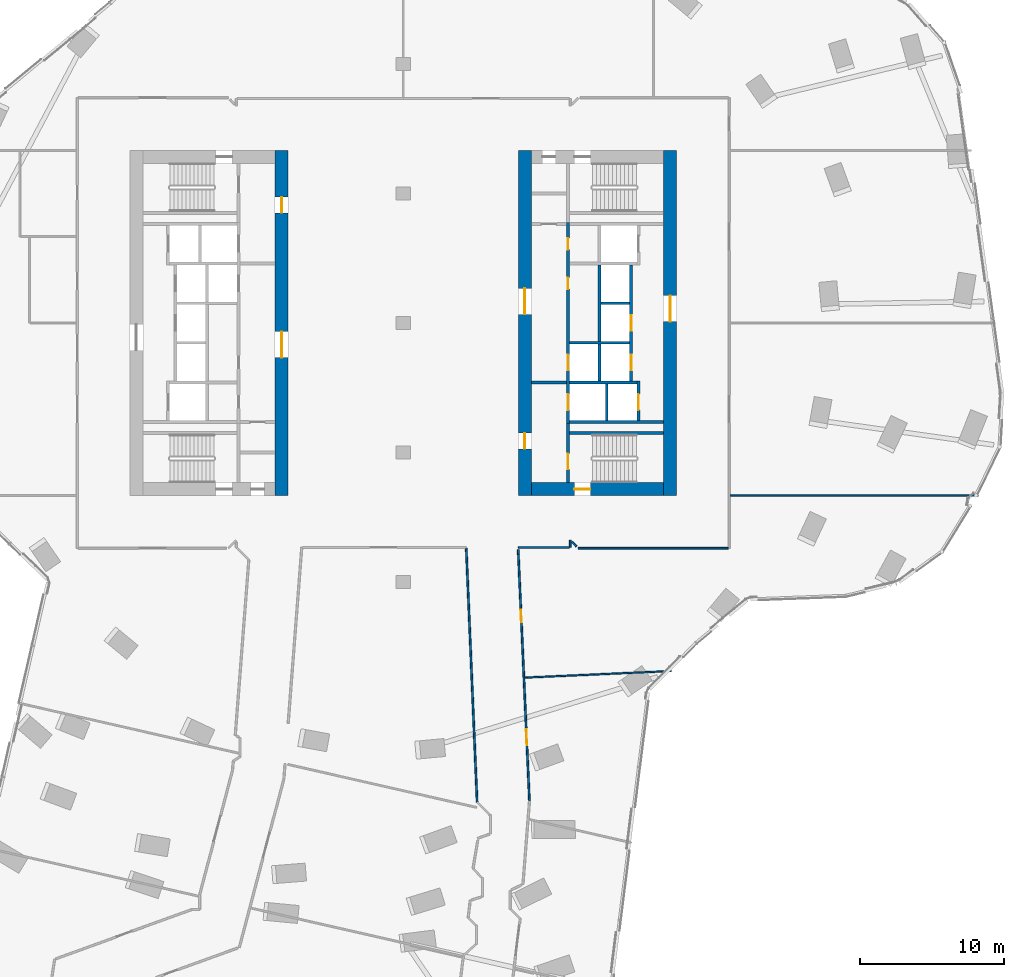
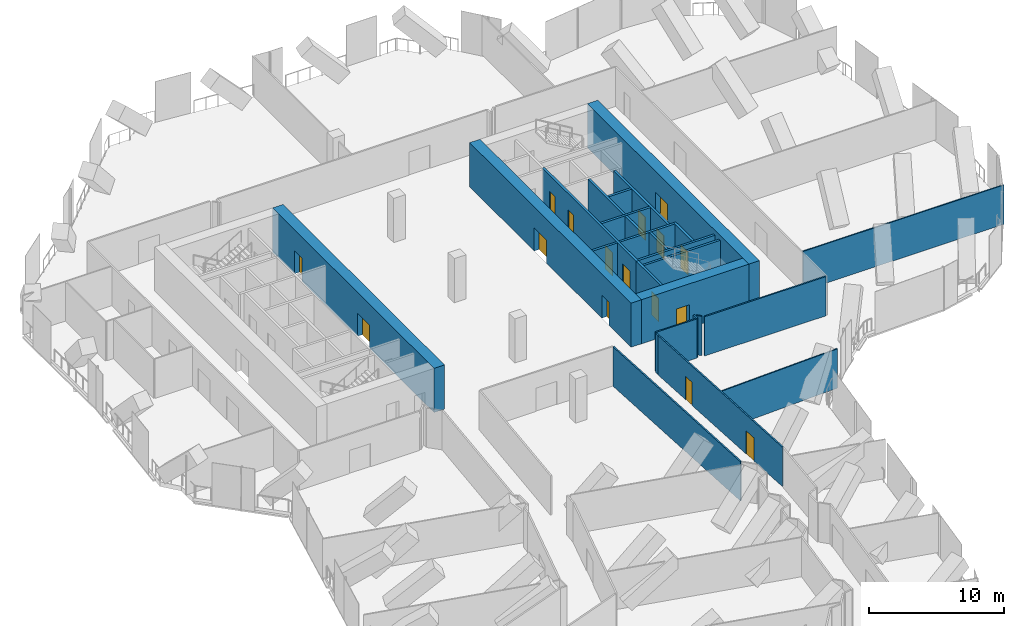
# One storey, part 23 of 29: 26 walls, 16 doors, 16 openings.
"""IFC4 building model written with IfcOpenShell, lengths in metres."""

from ifc_helpers import new_model, si_unit, direction, frame, frame_2d, origin, place, context, subcontext, project, spatial, rectangle, extrude, material, layer, layer_set, type_object, element, fill, save


model = new_model("IFC4")

# Units and contexts
model_context = context("Model", 3, precision=1e-05, world=origin(), true_north=direction((0.0, 1.0)))
body_context = subcontext(model_context, "Body", "Model", "MODEL_VIEW")
ifc_project = project(units=[si_unit("LENGTHUNIT", "METRE"), si_unit("AREAUNIT", "SQUARE_METRE"), si_unit("VOLUMEUNIT", "CUBIC_METRE"), si_unit("PLANEANGLEUNIT", "RADIAN"), si_unit("MASSUNIT", "GRAM", prefix="KILO")], contexts=[model_context])

# Site, building, storey
site_placement = place(None, origin())
site = spatial("IfcSite", under=ifc_project, at=site_placement, CompositionType="ELEMENT")
building_placement = place(site_placement, origin())
building = spatial("IfcBuilding", under=site, at=building_placement, Name="Orlundy Tower", CompositionType="ELEMENT")
storey_placement = place(building_placement, frame((0.0, 0.0, 184.60009765625)))
storey = spatial("IfcBuildingStorey", under=building, at=storey_placement, Name="L48", CompositionType="ELEMENT", Elevation=184.60009765625)

# Wall, openings, doors
ifc_material_1 = material(Name="Concrete C70/85", Category="concrete")
ifc_layer_1 = layer(ifc_material_1, 0.89990234375)
ifc_layer_set_1 = layer_set([ifc_layer_1], Name="CORE WALL 900 C70/85")
wall_type_1 = type_object("IfcWallType", Name="CORE WALL 900 C70/85", PredefinedType="SHEAR", material=ifc_layer_set_1)
wall_1_placement = place(storey_placement, frame((-8.449951171875, -12.0, 0.0), z_axis=(0.0, 0.0, 1.0), x_axis=(0.0, 1.0, 0.0)))
wall_1 = element("IfcWall", 1, at=wall_1_placement, inside=storey, type_object=wall_type_1, Name="Core wall W-E L48", PredefinedType="SHEAR", context=body_context, shape_type="SweptSolid", body=[
    extrude(rectangle(XDim=24.0, YDim=0.89990234375, at=frame_2d((12.0, 0.0))), origin(), (0.0, 0.0, 1.0), 4.0),
])
opening_1_placement = place(wall_1_placement, frame((9.60009765625, 0.0, 0.0)))
opening_1 = element("IfcOpeningElement", 2, at=opening_1_placement, cuts=wall_1, Name="Opening 37009", PredefinedType="OPENING", context=body_context, shape_type="SweptSolid", body=[
    extrude(rectangle(XDim=1.800048828125, YDim=2.10009765625, at=frame_2d((0.89990234375, 1.050048828125))), frame((0.0, 0.4599609375, 0.0), z_axis=(0.0, -1.0, 0.0), x_axis=(1.0, 0.0, 0.0)), (0.0, 0.0, 1.0), 0.919921875),
])
opening_2_placement = place(wall_1_placement, frame((19.64990234375, 0.0, 0.0)))
opening_2 = element("IfcOpeningElement", 3, at=opening_2_placement, cuts=wall_1, Name="Opening 37011", PredefinedType="OPENING", context=body_context, shape_type="SweptSolid", body=[
    extrude(rectangle(XDim=1.10009765625, YDim=2.10009765625, at=frame_2d((0.550048828125, 1.050048828125))), frame((0.0, 0.4599609375, 0.0), z_axis=(0.0, -1.0, 0.0), x_axis=(1.0, 0.0, 0.0)), (0.0, 0.0, 1.0), 0.919921875),
])
ifc_material_2 = material(Name="Steel door set", Category="steel")
door_type_1 = type_object("IfcDoorType", Name="Fire-fighting Lobby Door 1100x2100", OperationType="SINGLE_SWING_LEFT", PredefinedType="DOOR", material=ifc_material_2)
door_1_placement = place(opening_2_placement, origin())
door_1 = element("IfcDoor", 4, at=door_1_placement, inside=storey, type_object=door_type_1, Name="Fire-fighting lobby door 37011", OperationType="SINGLE_SWING_RIGHT", OverallHeight=2.10009765625, OverallWidth=1.10009765625, PredefinedType="DOOR", context=body_context, shape_type="SweptSolid", body=[
    extrude(rectangle(XDim=1.10009765625, YDim=2.10009765625, at=frame_2d((0.550048828125, 1.050048828125))), frame((0.0, 0.02490234375, 0.0), z_axis=(0.0, -1.0, 0.0), x_axis=(1.0, 0.0, 0.0)), (0.0, 0.0, 1.0), 0.050048828125),
])
fill(opening_2, door_1)
ifc_material_3 = material(Name="Timber door set", Category="wood")
door_type_2 = type_object("IfcDoorType", Name="Lobby Door 1800x2100", OperationType="DOUBLE_DOOR_DOUBLE_SWING", PredefinedType="DOOR", material=ifc_material_3)
door_2_placement = place(opening_1_placement, origin())
door_2 = element("IfcDoor", 5, at=door_2_placement, inside=storey, type_object=door_type_2, Name="Lift lobby door 37009", OperationType="SINGLE_SWING_LEFT", OverallHeight=2.10009765625, OverallWidth=1.800048828125, PredefinedType="DOOR", context=body_context, shape_type="SweptSolid", body=[
    extrude(rectangle(XDim=1.800048828125, YDim=2.10009765625, at=frame_2d((0.89990234375, 1.050048828125))), frame((0.0, 0.02490234375, 0.0), z_axis=(0.0, -1.0, 0.0), x_axis=(1.0, 0.0, 0.0)), (0.0, 0.0, 1.0), 0.050048828125),
])
fill(opening_1, door_2)

# Wall, opening, door
wall_2_placement = place(storey_placement, frame((8.89990234375, -11.550048828125, 0.0), z_axis=(0.0, 0.0, 1.0), x_axis=(1.0, 0.0, 0.0)))
wall_2 = element("IfcWall", 6, at=wall_2_placement, inside=storey, type_object=wall_type_1, Name="Core wall E-S L48", PredefinedType="SHEAR", context=body_context, shape_type="SweptSolid", body=[
    extrude(rectangle(XDim=9.2001953125, YDim=0.89990234375, at=frame_2d((4.60009765625, 0.0))), origin(), (0.0, 0.0, 1.0), 4.0),
])
opening_3_placement = place(wall_2_placement, frame((3.0, 0.0, 0.0)))
opening_3 = element("IfcOpeningElement", 7, at=opening_3_placement, cuts=wall_2, Name="Opening 37061", PredefinedType="OPENING", context=body_context, shape_type="SweptSolid", body=[
    extrude(rectangle(XDim=1.10009765625, YDim=2.10009765625, at=frame_2d((0.550048828125, 1.050048828125))), frame((0.0, 0.4599609375, 0.0), z_axis=(0.0, -1.0, 0.0), x_axis=(1.0, 0.0, 0.0)), (0.0, 0.0, 1.0), 0.919921875),
])
ifc_material_4 = material(Name="Steel door set", Category="steel")
door_type_3 = type_object("IfcDoorType", Name="Stair Door 1100x2100", OperationType="SINGLE_SWING_LEFT", PredefinedType="DOOR", material=ifc_material_4)
door_3_placement = place(opening_3_placement, origin())
door_3 = element("IfcDoor", 8, at=door_3_placement, inside=storey, type_object=door_type_3, Name="Stair door 37061", OperationType="SINGLE_SWING_LEFT", OverallHeight=2.10009765625, OverallWidth=1.10009765625, PredefinedType="DOOR", context=body_context, shape_type="SweptSolid", body=[
    extrude(rectangle(XDim=1.10009765625, YDim=2.10009765625, at=frame_2d((0.550048828125, 1.050048828125))), frame((0.0, 0.02490234375, 0.0), z_axis=(0.0, -1.0, 0.0), x_axis=(1.0, 0.0, 0.0)), (0.0, 0.0, 1.0), 0.050048828125),
])
fill(opening_3, door_3)

# Wall, openings, doors
wall_3_placement = place(storey_placement, frame((8.449951171875, -12.0, 0.0), z_axis=(0.0, 0.0, 1.0), x_axis=(0.0, 1.0, 0.0)))
wall_3 = element("IfcWall", 9, at=wall_3_placement, inside=storey, type_object=wall_type_1, Name="Core wall E-W L48", PredefinedType="SHEAR", context=body_context, shape_type="SweptSolid", body=[
    extrude(rectangle(XDim=24.0, YDim=0.89990234375, at=frame_2d((12.0, 0.0))), origin(), (0.0, 0.0, 1.0), 4.0),
])
opening_4_placement = place(wall_3_placement, frame((12.60009765625, 0.0, 0.0)))
opening_4 = element("IfcOpeningElement", 10, at=opening_4_placement, cuts=wall_3, Name="Opening 37058", PredefinedType="OPENING", context=body_context, shape_type="SweptSolid", body=[
    extrude(rectangle(XDim=1.800048828125, YDim=2.10009765625, at=frame_2d((0.89990234375, 1.050048828125))), frame((0.0, 0.4599609375, 0.0), z_axis=(0.0, -1.0, 0.0), x_axis=(1.0, 0.0, 0.0)), (0.0, 0.0, 1.0), 0.919921875),
])
opening_5_placement = place(wall_3_placement, frame((3.25, 0.0, 0.0)))
opening_5 = element("IfcOpeningElement", 11, at=opening_5_placement, cuts=wall_3, Name="Opening 37060", PredefinedType="OPENING", context=body_context, shape_type="SweptSolid", body=[
    extrude(rectangle(XDim=1.10009765625, YDim=2.10009765625, at=frame_2d((0.550048828125, 1.050048828125))), frame((0.0, 0.4599609375, 0.0), z_axis=(0.0, -1.0, 0.0), x_axis=(1.0, 0.0, 0.0)), (0.0, 0.0, 1.0), 0.919921875),
])
door_4_placement = place(opening_5_placement, origin())
door_4 = element("IfcDoor", 12, at=door_4_placement, inside=storey, type_object=door_type_1, Name="Fire-fighting lobby door 37060", OperationType="SINGLE_SWING_LEFT", OverallHeight=2.10009765625, OverallWidth=1.10009765625, PredefinedType="DOOR", context=body_context, shape_type="SweptSolid", body=[
    extrude(rectangle(XDim=1.10009765625, YDim=2.10009765625, at=frame_2d((0.550048828125, 1.050048828125))), frame((0.0, 0.02490234375, 0.0), z_axis=(0.0, -1.0, 0.0), x_axis=(1.0, 0.0, 0.0)), (0.0, 0.0, 1.0), 0.050048828125),
])
fill(opening_5, door_4)
door_5_placement = place(opening_4_placement, origin())
door_5 = element("IfcDoor", 13, at=door_5_placement, inside=storey, type_object=door_type_2, Name="Lift lobby door 37058", OperationType="SINGLE_SWING_RIGHT", OverallHeight=2.10009765625, OverallWidth=1.800048828125, PredefinedType="DOOR", context=body_context, shape_type="SweptSolid", body=[
    extrude(rectangle(XDim=1.800048828125, YDim=2.10009765625, at=frame_2d((0.89990234375, 1.050048828125))), frame((0.0, 0.02490234375, 0.0), z_axis=(0.0, -1.0, 0.0), x_axis=(1.0, 0.0, 0.0)), (0.0, 0.0, 1.0), 0.050048828125),
])
fill(opening_4, door_5)

# Wall, opening, door
wall_4_placement = place(storey_placement, frame((18.550048828125, -12.0, 0.0), z_axis=(0.0, 0.0, 1.0), x_axis=(0.0, 1.0, 0.0)))
wall_4 = element("IfcWall", 14, at=wall_4_placement, inside=storey, type_object=wall_type_1, Name="Core wall E-E L48", PredefinedType="SHEAR", context=body_context, shape_type="SweptSolid", body=[
    extrude(rectangle(XDim=24.0, YDim=0.89990234375, at=frame_2d((12.0, 0.0))), origin(), (0.0, 0.0, 1.0), 4.0),
])
opening_6_placement = place(wall_4_placement, frame((12.10009765625, 0.0, 0.0)))
opening_6 = element("IfcOpeningElement", 15, at=opening_6_placement, cuts=wall_4, Name="Opening 37059", PredefinedType="OPENING", context=body_context, shape_type="SweptSolid", body=[
    extrude(rectangle(XDim=1.800048828125, YDim=2.10009765625, at=frame_2d((0.89990234375, 1.050048828125))), frame((0.0, 0.4599609375, 0.0), z_axis=(0.0, -1.0, 0.0), x_axis=(1.0, 0.0, 0.0)), (0.0, 0.0, 1.0), 0.919921875),
])
door_6_placement = place(opening_6_placement, origin())
door_6 = element("IfcDoor", 16, at=door_6_placement, inside=storey, type_object=door_type_2, Name="Lift lobby door 37059", OperationType="SINGLE_SWING_RIGHT", OverallHeight=2.10009765625, OverallWidth=1.800048828125, PredefinedType="DOOR", context=body_context, shape_type="SweptSolid", body=[
    extrude(rectangle(XDim=1.800048828125, YDim=2.10009765625, at=frame_2d((0.89990234375, 1.050048828125))), frame((0.0, 0.02490234375, 0.0), z_axis=(0.0, -1.0, 0.0), x_axis=(1.0, 0.0, 0.0)), (0.0, 0.0, 1.0), 0.050048828125),
])
fill(opening_6, door_6)

# Walls
ifc_material_5 = material(Name="Gypsum board partition")
ifc_layer_2 = layer(ifc_material_5, 0.10009765625)
ifc_layer_set_2 = layer_set([ifc_layer_2], Name="Floor partition 100")
wall_type_2 = type_object("IfcWallType", Name="Floor partition 100", PredefinedType="PARTITIONING", material=ifc_layer_set_2)
wall_5_placement = place(storey_placement, frame((22.7119140625, -12.0, 0.0), z_axis=(0.0, 0.0, 1.0), x_axis=(1.0, 0.0, 0.0)))
element("IfcWall", 17, at=wall_5_placement, inside=storey, type_object=wall_type_2, Name="wall-int-L48-039", PredefinedType="PARTITIONING", context=body_context, shape_type="SweptSolid", body=[
    extrude(rectangle(XDim=17.237060546875, YDim=0.10009765625, at=frame_2d((8.61865234375, 0.0))), origin(), (0.0, 0.0, 1.0), 3.559814453125),
])
wall_6_placement = place(storey_placement, frame((8.447021484375, -24.64599609375, 0.0), z_axis=(0.0, 0.0, 1.0), x_axis=(0.998997247229, 0.044771643143, 0.0)))
element("IfcWall", 18, at=wall_6_placement, inside=storey, type_object=wall_type_2, Name="wall-int-L48-048", PredefinedType="PARTITIONING", context=body_context, shape_type="SweptSolid", body=[
    extrude(rectangle(XDim=10.186279296875, YDim=0.10009765625, at=frame_2d((5.09326171875, 0.0))), origin(), (0.0, 0.0, 1.0), 3.559814453125),
])
ifc_material_6 = material(Name="Gypsum board partition, double layer")
ifc_layer_3 = layer(ifc_material_6, 0.125)
ifc_layer_set_3 = layer_set([ifc_layer_3], Name="Floor partition 125")
wall_type_3 = type_object("IfcWallType", Name="Floor partition 125", PredefinedType="PARTITIONING", material=ifc_layer_set_3)
wall_7_placement = place(storey_placement, frame((4.376953125, -15.662109375, 0.0), z_axis=(0.0, 0.0, 1.0), x_axis=(0.042795346464, -0.999083859504, 0.0)))
element("IfcWall", 19, at=wall_7_placement, inside=storey, type_object=wall_type_3, Name="wall-int-L48-002", PredefinedType="PARTITIONING", context=body_context, shape_type="SweptSolid", body=[
    extrude(rectangle(XDim=17.64501953125, YDim=0.125, at=frame_2d((8.822509765625, 0.0))), origin(), (0.0, 0.0, 1.0), 3.559814453125),
])

# Wall, openings, doors
wall_8_placement = place(storey_placement, frame((8.0, -16.068115234375, 0.0), z_axis=(0.0, 0.0, 1.0), x_axis=(0.044822961231, -0.998994946006, 0.0)))
wall_8 = element("IfcWall", 20, at=wall_8_placement, inside=storey, type_object=wall_type_3, Name="wall-int-L48-003", PredefinedType="PARTITIONING", context=body_context, shape_type="SweptSolid", body=[
    extrude(rectangle(XDim=17.17919921875, YDim=0.125, at=frame_2d((8.589599609375, 0.0))), origin(), (0.0, 0.0, 1.0), 3.559814453125),
])
opening_7_placement = place(wall_8_placement, frame((12.189697265625, 0.0, 0.0)))
opening_7 = element("IfcOpeningElement", 21, at=opening_7_placement, cuts=wall_8, Name="Opening 37112", PredefinedType="OPENING", context=body_context, shape_type="SweptSolid", body=[
    extrude(rectangle(XDim=1.10009765625, YDim=2.10009765625, at=frame_2d((0.550048828125, 1.050048828125))), frame((0.0, 0.072509765625, 0.0), z_axis=(0.0, -1.0, 0.0), x_axis=(1.0, 0.0, 0.0)), (0.0, 0.0, 1.0), 0.14501953125),
])
opening_8_placement = place(wall_8_placement, frame((3.85009765625, 0.0, 0.0)))
opening_8 = element("IfcOpeningElement", 22, at=opening_8_placement, cuts=wall_8, Name="Opening 37113", PredefinedType="OPENING", context=body_context, shape_type="SweptSolid", body=[
    extrude(rectangle(XDim=0.89990234375, YDim=2.10009765625, at=frame_2d((0.449951171875, 1.050048828125))), frame((0.0, 0.072509765625, 0.0), z_axis=(0.0, -1.0, 0.0), x_axis=(1.0, 0.0, 0.0)), (0.0, 0.0, 1.0), 0.14501953125),
])
ifc_material_7 = material(Name="Timber door leaf", Category="wood")
door_type_4 = type_object("IfcDoorType", Name="Floor door single 900 FD30S", OperationType="NOTDEFINED", PredefinedType="DOOR", material=ifc_material_7)
door_7_placement = place(opening_8_placement, origin())
door_7 = element("IfcDoor", 23, at=door_7_placement, inside=storey, type_object=door_type_4, Name="Door 37113", OperationType="SINGLE_SWING_LEFT", OverallHeight=2.10009765625, OverallWidth=0.89990234375, PredefinedType="DOOR", context=body_context, shape_type="SweptSolid", body=[
    extrude(rectangle(XDim=0.89990234375, YDim=2.10009765625, at=frame_2d((0.449951171875, 1.050048828125))), frame((0.0, 0.02490234375, 0.0), z_axis=(0.0, -1.0, 0.0), x_axis=(1.0, 0.0, 0.0)), (0.0, 0.0, 1.0), 0.050048828125),
])
fill(opening_8, door_7)
ifc_material_8 = material(Name="Timber door leaf", Category="wood")
door_type_5 = type_object("IfcDoorType", Name="Floor door xwide 1100 FD30S", OperationType="NOTDEFINED", PredefinedType="DOOR", material=ifc_material_8)
door_8_placement = place(opening_7_placement, origin())
door_8 = element("IfcDoor", 24, at=door_8_placement, inside=storey, type_object=door_type_5, Name="Door 37112", OperationType="SINGLE_SWING_RIGHT", OverallHeight=2.10009765625, OverallWidth=1.10009765625, PredefinedType="DOOR", context=body_context, shape_type="SweptSolid", body=[
    extrude(rectangle(XDim=1.10009765625, YDim=2.10009765625, at=frame_2d((0.550048828125, 1.050048828125))), frame((0.0, 0.02490234375, 0.0), z_axis=(0.0, -1.0, 0.0), x_axis=(1.0, 0.0, 0.0)), (0.0, 0.0, 1.0), 0.050048828125),
])
fill(opening_7, door_8)

# Walls
wall_9_placement = place(storey_placement, frame((11.72900390625, -15.20703125, 0.0), z_axis=(0.0, 0.0, 1.0), x_axis=(0.707106781187, -0.707106781187, 0.0)))
element("IfcWall", 25, at=wall_9_placement, inside=storey, type_object=wall_type_3, Name="wall-int-L48-005", PredefinedType="PARTITIONING", context=body_context, shape_type="SweptSolid", body=[
    extrude(rectangle(XDim=0.4482421875, YDim=0.125, at=frame_2d((0.22412109375, 0.0))), origin(), (0.0, 0.0, 1.0), 3.559814453125),
])
wall_10_placement = place(storey_placement, frame((12.159912109375, -15.65087890625, 0.0), z_axis=(0.0, 0.0, 1.0), x_axis=(1.0, 0.0, 0.0)))
element("IfcWall", 26, at=wall_10_placement, inside=storey, type_object=wall_type_3, Name="wall-int-L48-034", PredefinedType="PARTITIONING", context=body_context, shape_type="SweptSolid", body=[
    extrude(rectangle(XDim=10.427001953125, YDim=0.125, at=frame_2d((5.21337890625, 0.0))), origin(), (0.0, 0.0, 1.0), 3.559814453125),
])
wall_11_placement = place(storey_placement, frame((8.0, -15.60009765625, 0.0), z_axis=(0.0, 0.0, 1.0), x_axis=(1.0, 0.0, 0.0)))
element("IfcWall", 27, at=wall_11_placement, inside=storey, type_object=wall_type_3, Name="wall-int-L48-037", PredefinedType="PARTITIONING", context=body_context, shape_type="SweptSolid", body=[
    extrude(rectangle(XDim=3.5390625, YDim=0.125, at=frame_2d((1.76953125, 0.0))), origin(), (0.0, 0.0, 1.0), 3.559814453125),
])
wall_12_placement = place(storey_placement, frame((11.60107421875, -15.60009765625, 0.0), z_axis=(0.0, 0.0, 1.0), x_axis=(0.0, 1.0, 0.0)))
element("IfcWall", 28, at=wall_12_placement, inside=storey, type_object=wall_type_3, Name="wall-int-L48-084", PredefinedType="PARTITIONING", context=body_context, shape_type="SweptSolid", body=[
    extrude(rectangle(XDim=0.508056640625, YDim=0.125, at=frame_2d((0.25390625, 0.0))), origin(), (0.0, 0.0, 1.0), 3.559814453125),
])
wall_13_placement = place(storey_placement, frame((8.0, -16.068115234375, 0.0), z_axis=(0.0, 0.0, 1.0), x_axis=(0.0, 1.0, 0.0)))
element("IfcWall", 29, at=wall_13_placement, inside=storey, type_object=wall_type_3, Name="wall-int-L48-086", PredefinedType="PARTITIONING", context=body_context, shape_type="SweptSolid", body=[
    extrude(rectangle(XDim=0.316162109375, YDim=0.125, at=frame_2d((0.158203125, 0.0))), origin(), (0.0, 0.0, 1.0), 3.559814453125),
])

# Wall, opening, door
ifc_material_9 = material(Name="Concrete C40/50", Category="concrete")
ifc_layer_4 = layer(ifc_material_9, 0.199951171875)
ifc_layer_set_4 = layer_set([ifc_layer_4], Name="Load-bearing Shaft Wall 200")
wall_type_4 = type_object("IfcWallType", Name="Load-bearing Shaft Wall 200", PredefinedType="SOLIDWALL", material=ifc_layer_set_4)
wall_14_placement = place(storey_placement, frame((11.43994140625, -6.97509765625, 0.0), z_axis=(0.0, 0.0, 1.0), x_axis=(0.0, -1.0, 0.0)))
wall_14 = element("IfcWall", 30, at=wall_14_placement, inside=storey, type_object=wall_type_4, Name="Shaft wall E37-stair-end-n", PredefinedType="SOLIDWALL", context=body_context, shape_type="SweptSolid", body=[
    extrude(rectangle(XDim=4.125, YDim=0.199951171875, at=frame_2d((2.0625, 0.0))), origin(), (0.0, 0.0, 1.0), 3.579833984375),
])
opening_9_placement = place(wall_14_placement, frame((2.10009765625, 0.0, 0.0)))
opening_9 = element("IfcOpeningElement", 31, at=opening_9_placement, cuts=wall_14, Name="Opening 37063", PredefinedType="OPENING", context=body_context, shape_type="SweptSolid", body=[
    extrude(rectangle(XDim=1.10009765625, YDim=2.10009765625, at=frame_2d((0.550048828125, 1.050048828125))), frame((0.0, 0.110107421875, 0.0), z_axis=(0.0, -1.0, 0.0), x_axis=(1.0, 0.0, 0.0)), (0.0, 0.0, 1.0), 0.22021484375),
])
door_9_placement = place(opening_9_placement, origin())
door_9 = element("IfcDoor", 32, at=door_9_placement, inside=storey, type_object=door_type_1, Name="Fire-fighting lobby to stair door 37063", OperationType="SINGLE_SWING_RIGHT", OverallHeight=2.10009765625, OverallWidth=1.10009765625, PredefinedType="DOOR", context=body_context, shape_type="SweptSolid", body=[
    extrude(rectangle(XDim=1.10009765625, YDim=2.10009765625, at=frame_2d((0.550048828125, 1.050048828125))), frame((0.0, 0.02490234375, 0.0), z_axis=(0.0, -1.0, 0.0), x_axis=(1.0, 0.0, 0.0)), (0.0, 0.0, 1.0), 0.050048828125),
])
fill(opening_9, door_9)

# Walls
wall_15_placement = place(storey_placement, frame((11.5400390625, -7.64990234375, 0.0), z_axis=(0.0, 0.0, 1.0), x_axis=(1.0, 0.0, 0.0)))
element("IfcWall", 33, at=wall_15_placement, inside=storey, type_object=wall_type_4, Name="Shaft wall E37-stair-side-n", PredefinedType="SOLIDWALL", context=body_context, shape_type="SweptSolid", body=[
    extrude(rectangle(XDim=6.56005859375, YDim=0.199951171875, at=frame_2d((3.280029296875, 0.0))), origin(), (0.0, 0.0, 1.0), 3.579833984375),
])
ifc_material_10 = material(Name="Gypsum board partition on steel studs", Category="steel")
ifc_layer_5 = layer(ifc_material_10, 0.199951171875)
ifc_layer_set_5 = layer_set([ifc_layer_5], Name="Partition 200")
wall_type_5 = type_object("IfcWallType", Name="Partition 200", PredefinedType="PARTITIONING", material=ifc_layer_set_5)
wall_16_placement = place(storey_placement, frame((8.89990234375, -4.125, 0.0), z_axis=(0.0, 0.0, 1.0), x_axis=(1.0, 0.0, 0.0)))
element("IfcWall", 34, at=wall_16_placement, inside=storey, type_object=wall_type_5, Name="Partition wall E37-lobby-n", PredefinedType="PARTITIONING", context=body_context, shape_type="SweptSolid", body=[
    extrude(rectangle(XDim=2.440185546875, YDim=0.199951171875, at=frame_2d((1.22021484375, 0.0))), origin(), (0.0, 0.0, 1.0), 3.579833984375),
])
ifc_material_11 = material(Name="Fire-rated blockwork shaft wall", Category="masonry")
ifc_layer_6 = layer(ifc_material_11, 0.199951171875)
ifc_layer_set_6 = layer_set([ifc_layer_6], Name="Shaft Wall 200")
wall_type_6 = type_object("IfcWallType", Name="Shaft Wall 200", PredefinedType="SOLIDWALL", material=ifc_layer_set_6)
wall_17_placement = place(storey_placement, frame((11.5400390625, -6.875, 0.0), z_axis=(0.0, 0.0, 1.0), x_axis=(1.0, 0.0, 0.0)))
element("IfcWall", 35, at=wall_17_placement, inside=storey, type_object=wall_type_6, Name="Shaft wall E37-zone-n", PredefinedType="SOLIDWALL", context=body_context, shape_type="SweptSolid", body=[
    extrude(rectangle(XDim=6.56005859375, YDim=0.199951171875, at=frame_2d((3.280029296875, 0.0))), origin(), (0.0, 0.0, 1.0), 3.579833984375),
])
wall_18_placement = place(storey_placement, frame((13.739990234375, 1.375, 0.0), z_axis=(0.0, 0.0, 1.0), x_axis=(1.0, 0.0, 0.0)))
element("IfcWall", 36, at=wall_18_placement, inside=storey, type_object=wall_type_6, Name="Shaft wall E37-cross-1.375", PredefinedType="SOLIDWALL", context=body_context, shape_type="SweptSolid", body=[
    extrude(rectangle(XDim=2.0, YDim=0.199951171875, at=frame_2d((1.0, 0.0))), origin(), (0.0, 0.0, 1.0), 3.579833984375),
])
wall_19_placement = place(storey_placement, frame((11.5400390625, -1.375, 0.0), z_axis=(0.0, 0.0, 1.0), x_axis=(1.0, 0.0, 0.0)))
element("IfcWall", 37, at=wall_19_placement, inside=storey, type_object=wall_type_6, Name="Shaft wall E37-cross+1.375", PredefinedType="SOLIDWALL", context=body_context, shape_type="SweptSolid", body=[
    extrude(rectangle(XDim=4.199951171875, YDim=0.199951171875, at=frame_2d((2.10009765625, 0.0))), origin(), (0.0, 0.0, 1.0), 3.579833984375),
])
wall_20_placement = place(storey_placement, frame((11.5400390625, -4.125, 0.0), z_axis=(0.0, 0.0, 1.0), x_axis=(1.0, 0.0, 0.0)))
element("IfcWall", 38, at=wall_20_placement, inside=storey, type_object=wall_type_6, Name="Shaft wall E37-cross+4.125", PredefinedType="SOLIDWALL", context=body_context, shape_type="SweptSolid", body=[
    extrude(rectangle(XDim=4.699951171875, YDim=0.199951171875, at=frame_2d((2.35009765625, 0.0))), origin(), (0.0, 0.0, 1.0), 3.579833984375),
])

# Wall, openings, doors
wall_21_placement = place(storey_placement, frame((11.43994140625, 6.97509765625, 0.0), z_axis=(0.0, 0.0, 1.0), x_axis=(0.0, -1.0, 0.0)))
wall_21 = element("IfcWall", 39, at=wall_21_placement, inside=storey, type_object=wall_type_6, Name="Shaft wall E37-front-h", PredefinedType="SOLIDWALL", context=body_context, shape_type="SweptSolid", body=[
    extrude(rectangle(XDim=13.9501953125, YDim=0.199951171875, at=frame_2d((6.97509765625, 0.0))), origin(), (0.0, 0.0, 1.0), 3.579833984375),
])
opening_10_placement = place(wall_21_placement, frame((9.175048828125, 0.0, 0.0)))
opening_10 = element("IfcOpeningElement", 40, at=opening_10_placement, cuts=wall_21, Name="Opening 37052", PredefinedType="OPENING", context=body_context, shape_type="SweptSolid", body=[
    extrude(rectangle(XDim=1.10009765625, YDim=2.10009765625, at=frame_2d((0.550048828125, 1.050048828125))), frame((0.0, 0.110107421875, 0.0), z_axis=(0.0, -1.0, 0.0), x_axis=(1.0, 0.0, 0.0)), (0.0, 0.0, 1.0), 0.22021484375),
])
opening_11_placement = place(wall_21_placement, frame((11.925048828125, 0.0, 0.0)))
opening_11 = element("IfcOpeningElement", 41, at=opening_11_placement, cuts=wall_21, Name="Opening 37054", PredefinedType="OPENING", context=body_context, shape_type="SweptSolid", body=[
    extrude(rectangle(XDim=1.10009765625, YDim=2.10009765625, at=frame_2d((0.550048828125, 1.050048828125))), frame((0.0, 0.110107421875, 0.0), z_axis=(0.0, -1.0, 0.0), x_axis=(1.0, 0.0, 0.0)), (0.0, 0.0, 1.0), 0.22021484375),
])
opening_12_placement = place(wall_21_placement, frame((1.074951171875, 0.0, 0.0)))
opening_12 = element("IfcOpeningElement", 42, at=opening_12_placement, cuts=wall_21, Name="Opening 37056", PredefinedType="OPENING", context=body_context, shape_type="SweptSolid", body=[
    extrude(rectangle(XDim=0.800048828125, YDim=2.10009765625, at=frame_2d((0.39990234375, 1.050048828125))), frame((0.0, 0.110107421875, 0.0), z_axis=(0.0, -1.0, 0.0), x_axis=(1.0, 0.0, 0.0)), (0.0, 0.0, 1.0), 0.22021484375),
])
opening_13_placement = place(wall_21_placement, frame((3.824951171875, 0.0, 0.0)))
opening_13 = element("IfcOpeningElement", 43, at=opening_13_placement, cuts=wall_21, Name="Opening 37057", PredefinedType="OPENING", context=body_context, shape_type="SweptSolid", body=[
    extrude(rectangle(XDim=0.800048828125, YDim=2.10009765625, at=frame_2d((0.39990234375, 1.050048828125))), frame((0.0, 0.110107421875, 0.0), z_axis=(0.0, -1.0, 0.0), x_axis=(1.0, 0.0, 0.0)), (0.0, 0.0, 1.0), 0.22021484375),
])
ifc_material_12 = material(Name="Steel door set", Category="steel")
door_type_6 = type_object("IfcDoorType", Name="Landing Door 1100x2100", OperationType="DOUBLE_DOOR_SLIDING", PredefinedType="DOOR", material=ifc_material_12)
door_10_placement = place(opening_10_placement, origin())
door_10 = element("IfcDoor", 44, at=door_10_placement, inside=storey, type_object=door_type_6, Name="Lift landing door LP-16 37052", OperationType="DOUBLE_DOOR_SLIDING", OverallHeight=2.10009765625, OverallWidth=1.10009765625, PredefinedType="DOOR", context=body_context, shape_type="SweptSolid", body=[
    extrude(rectangle(XDim=1.10009765625, YDim=2.10009765625, at=frame_2d((0.550048828125, 1.050048828125))), frame((0.0, 0.02490234375, 0.0), z_axis=(0.0, -1.0, 0.0), x_axis=(1.0, 0.0, 0.0)), (0.0, 0.0, 1.0), 0.050048828125),
])
fill(opening_10, door_10)
door_11_placement = place(opening_11_placement, origin())
door_11 = element("IfcDoor", 45, at=door_11_placement, inside=storey, type_object=door_type_6, Name="Lift landing door FL2 37054", OperationType="DOUBLE_DOOR_SLIDING", OverallHeight=2.10009765625, OverallWidth=1.10009765625, PredefinedType="DOOR", context=body_context, shape_type="SweptSolid", body=[
    extrude(rectangle(XDim=1.10009765625, YDim=2.10009765625, at=frame_2d((0.550048828125, 1.050048828125))), frame((0.0, 0.02490234375, 0.0), z_axis=(0.0, -1.0, 0.0), x_axis=(1.0, 0.0, 0.0)), (0.0, 0.0, 1.0), 0.050048828125),
])
fill(opening_11, door_11)
ifc_material_13 = material(Name="Timber door set", Category="wood")
door_type_7 = type_object("IfcDoorType", Name="Riser Door 800x2100", OperationType="SINGLE_SWING_LEFT", PredefinedType="DOOR", material=ifc_material_13)
door_12_placement = place(opening_12_placement, origin())
door_12 = element("IfcDoor", 46, at=door_12_placement, inside=storey, type_object=door_type_7, Name="Pantry Store door 37056", OperationType="SINGLE_SWING_LEFT", OverallHeight=2.10009765625, OverallWidth=0.800048828125, PredefinedType="DOOR", context=body_context, shape_type="SweptSolid", body=[
    extrude(rectangle(XDim=0.800048828125, YDim=2.10009765625, at=frame_2d((0.39990234375, 1.050048828125))), frame((0.0, 0.02490234375, 0.0), z_axis=(0.0, -1.0, 0.0), x_axis=(1.0, 0.0, 0.0)), (0.0, 0.0, 1.0), 0.050048828125),
])
fill(opening_12, door_12)
door_13_placement = place(opening_13_placement, origin())
door_13 = element("IfcDoor", 47, at=door_13_placement, inside=storey, type_object=door_type_7, Name="AV Store door 37057", OperationType="SINGLE_SWING_LEFT", OverallHeight=2.10009765625, OverallWidth=0.800048828125, PredefinedType="DOOR", context=body_context, shape_type="SweptSolid", body=[
    extrude(rectangle(XDim=0.800048828125, YDim=2.10009765625, at=frame_2d((0.39990234375, 1.050048828125))), frame((0.0, 0.02490234375, 0.0), z_axis=(0.0, -1.0, 0.0), x_axis=(1.0, 0.0, 0.0)), (0.0, 0.0, 1.0), 0.050048828125),
])
fill(opening_13, door_13)

# Walls
wall_22_placement = place(storey_placement, frame((13.639892578125, 4.02490234375, 0.0), z_axis=(0.0, 0.0, 1.0), x_axis=(0.0, -1.0, 0.0)))
element("IfcWall", 48, at=wall_22_placement, inside=storey, type_object=wall_type_6, Name="Shaft wall E37-mid-a.1", PredefinedType="SOLIDWALL", context=body_context, shape_type="SweptSolid", body=[
    extrude(rectangle(XDim=5.2998046875, YDim=0.199951171875, at=frame_2d((2.64990234375, 0.0))), origin(), (0.0, 0.0, 1.0), 3.579833984375),
])
for number, where, z_axis, x_axis, name in (
    (49, (13.639892578125, -1.47509765625, 0.0), (0.0, 0.0, 1.0), (0.0, -1.0, 0.0), "Shaft wall E37-mid-a.2"),
    (50, (14.139892578125, -4.22509765625, 0.0), (0.0, 0.0, 1.0), (0.0, -1.0, 0.0), "Shaft wall E37-mid-b"),
):
    element("IfcWall", number, at=place(storey_placement, frame(where, z_axis=z_axis, x_axis=x_axis)), inside=storey, type_object=wall_type_6, Name=name, PredefinedType="SOLIDWALL", context=body_context, shape_type="SweptSolid", body=[
        extrude(rectangle(XDim=2.5498046875, YDim=0.199951171875, at=frame_2d((1.27490234375, 0.0))), origin(), (0.0, 0.0, 1.0), 3.579833984375),
    ])

# Wall, openings, doors
wall_23_placement = place(storey_placement, frame((15.840087890625, 4.02490234375, 0.0), z_axis=(0.0, 0.0, 1.0), x_axis=(0.0, -1.0, 0.0)))
wall_23 = element("IfcWall", 51, at=wall_23_placement, inside=storey, type_object=wall_type_6, Name="Shaft wall E37-front-o-b", PredefinedType="SOLIDWALL", context=body_context, shape_type="SweptSolid", body=[
    extrude(rectangle(XDim=8.0498046875, YDim=0.199951171875, at=frame_2d((4.02490234375, 0.0))), origin(), (0.0, 0.0, 1.0), 3.579833984375),
])
opening_14_placement = place(wall_23_placement, frame((3.47509765625, 0.0, 0.0)))
opening_14 = element("IfcOpeningElement", 52, at=opening_14_placement, cuts=wall_23, Name="Opening 37051", PredefinedType="OPENING", context=body_context, shape_type="SweptSolid", body=[
    extrude(rectangle(XDim=1.10009765625, YDim=2.10009765625, at=frame_2d((0.550048828125, 1.050048828125))), frame((0.0, 0.110107421875, 0.0), z_axis=(0.0, -1.0, 0.0), x_axis=(1.0, 0.0, 0.0)), (0.0, 0.0, 1.0), 0.22021484375),
])
opening_15_placement = place(wall_23_placement, frame((6.22509765625, 0.0, 0.0)))
opening_15 = element("IfcOpeningElement", 53, at=opening_15_placement, cuts=wall_23, Name="Opening 37053", PredefinedType="OPENING", context=body_context, shape_type="SweptSolid", body=[
    extrude(rectangle(XDim=1.10009765625, YDim=2.10009765625, at=frame_2d((0.550048828125, 1.050048828125))), frame((0.0, 0.110107421875, 0.0), z_axis=(0.0, -1.0, 0.0), x_axis=(1.0, 0.0, 0.0)), (0.0, 0.0, 1.0), 0.22021484375),
])
door_14_placement = place(opening_14_placement, origin())
door_14 = element("IfcDoor", 54, at=door_14_placement, inside=storey, type_object=door_type_6, Name="Lift landing door LP-15 37051", OperationType="DOUBLE_DOOR_SLIDING", OverallHeight=2.10009765625, OverallWidth=1.10009765625, PredefinedType="DOOR", context=body_context, shape_type="SweptSolid", body=[
    extrude(rectangle(XDim=1.10009765625, YDim=2.10009765625, at=frame_2d((0.550048828125, 1.050048828125))), frame((0.0, 0.02490234375, 0.0), z_axis=(0.0, -1.0, 0.0), x_axis=(1.0, 0.0, 0.0)), (0.0, 0.0, 1.0), 0.050048828125),
])
fill(opening_14, door_14)
door_15_placement = place(opening_15_placement, origin())
door_15 = element("IfcDoor", 55, at=door_15_placement, inside=storey, type_object=door_type_6, Name="Lift landing door LP-17 37053", OperationType="DOUBLE_DOOR_SLIDING", OverallHeight=2.10009765625, OverallWidth=1.10009765625, PredefinedType="DOOR", context=body_context, shape_type="SweptSolid", body=[
    extrude(rectangle(XDim=1.10009765625, YDim=2.10009765625, at=frame_2d((0.550048828125, 1.050048828125))), frame((0.0, 0.02490234375, 0.0), z_axis=(0.0, -1.0, 0.0), x_axis=(1.0, 0.0, 0.0)), (0.0, 0.0, 1.0), 0.050048828125),
])
fill(opening_15, door_15)

# Wall, opening, door
wall_24_placement = place(storey_placement, frame((16.340087890625, -4.02490234375, 0.0), z_axis=(0.0, 0.0, 1.0), x_axis=(0.0, -1.0, 0.0)))
wall_24 = element("IfcWall", 56, at=wall_24_placement, inside=storey, type_object=wall_type_6, Name="Shaft wall E37-front-o-c", PredefinedType="SOLIDWALL", context=body_context, shape_type="SweptSolid", body=[
    extrude(rectangle(XDim=2.75, YDim=0.199951171875, at=frame_2d((1.375, 0.0))), origin(), (0.0, 0.0, 1.0), 3.579833984375),
])
opening_16_placement = place(wall_24_placement, frame((0.925048828125, 0.0, 0.0)))
opening_16 = element("IfcOpeningElement", 57, at=opening_16_placement, cuts=wall_24, Name="Opening 37055", PredefinedType="OPENING", context=body_context, shape_type="SweptSolid", body=[
    extrude(rectangle(XDim=1.10009765625, YDim=2.10009765625, at=frame_2d((0.550048828125, 1.050048828125))), frame((0.0, 0.110107421875, 0.0), z_axis=(0.0, -1.0, 0.0), x_axis=(1.0, 0.0, 0.0)), (0.0, 0.0, 1.0), 0.22021484375),
])
door_16_placement = place(opening_16_placement, origin())
door_16 = element("IfcDoor", 58, at=door_16_placement, inside=storey, type_object=door_type_6, Name="Lift landing door LP-18 37055", OperationType="DOUBLE_DOOR_SLIDING", OverallHeight=2.10009765625, OverallWidth=1.10009765625, PredefinedType="DOOR", context=body_context, shape_type="SweptSolid", body=[
    extrude(rectangle(XDim=1.10009765625, YDim=2.10009765625, at=frame_2d((0.550048828125, 1.050048828125))), frame((0.0, 0.02490234375, 0.0), z_axis=(0.0, -1.0, 0.0), x_axis=(1.0, 0.0, 0.0)), (0.0, 0.0, 1.0), 0.050048828125),
])
fill(opening_16, door_16)

save(model, "model.ifc")
